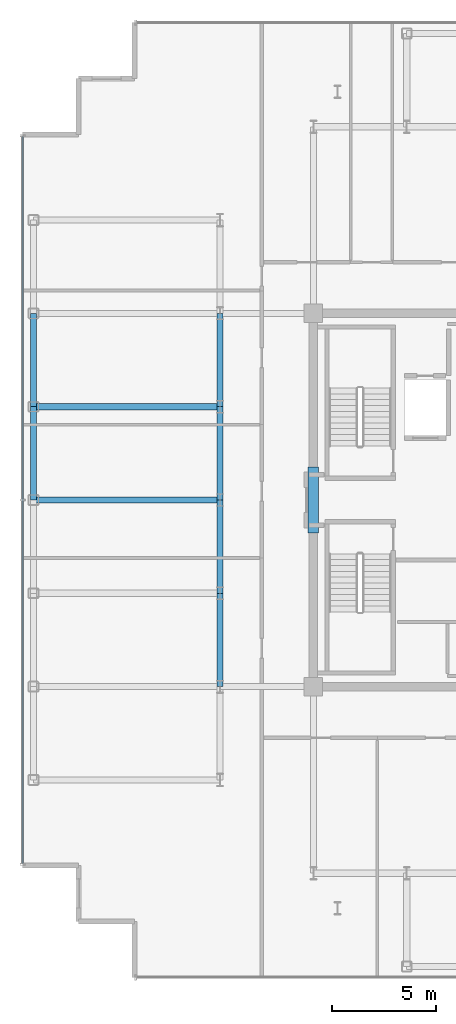
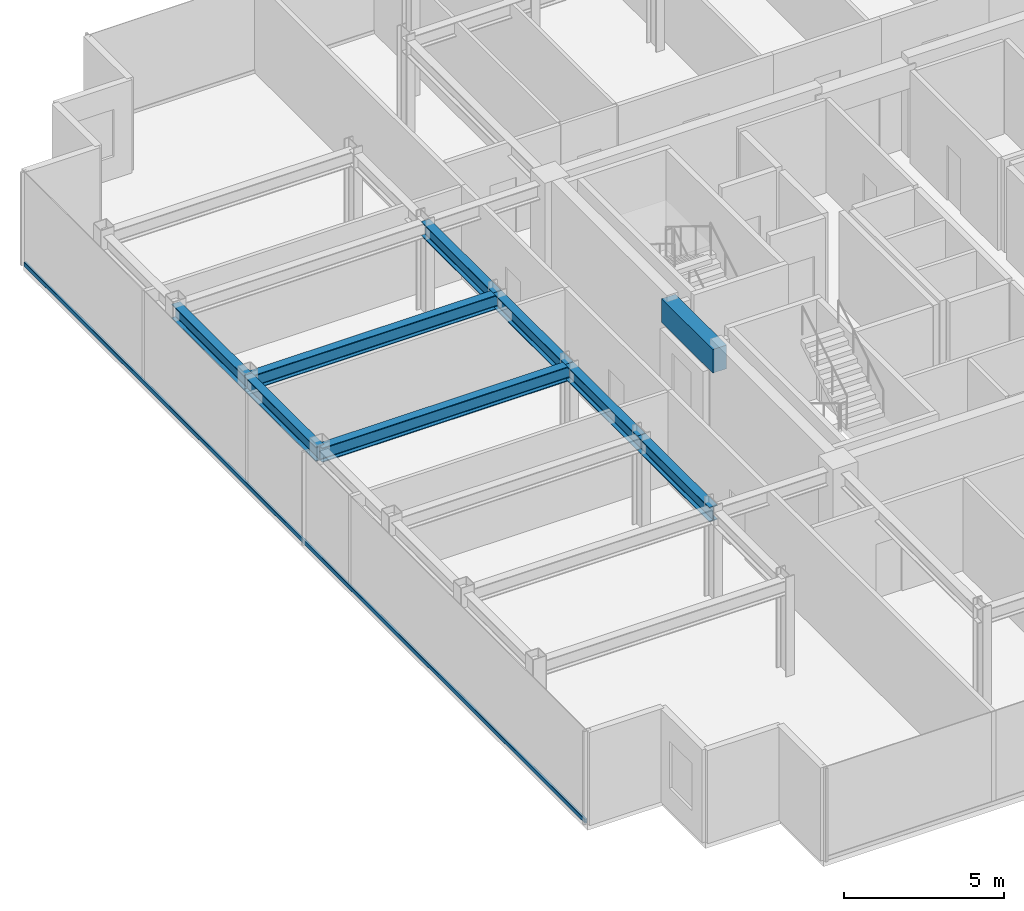
# One storey, part 5 of 17: 9 beams, 1 member, 1 element without a shape of its own.
"""IFC4 building model written with IfcOpenShell, lengths in metres."""

from ifc_helpers import new_model, si_unit, direction, frame, origin, origin_2d, place, context, subcontext, project, spatial, rectangle, hollow_rectangle, i_section, extrude, source, transform, mapped, material, layer, layer_set, material_profile, profile_set, type_object, element, aggregate, save


model = new_model("IFC4")

# Units and contexts
model_context = context("Model", 3, precision=1e-05, world=origin(), true_north=direction((0.0, 1.0)))
body_context = subcontext(model_context, "Body", "Model", "MODEL_VIEW")
ifc_project = project(units=[si_unit("LENGTHUNIT", "METRE"), si_unit("AREAUNIT", "SQUARE_METRE"), si_unit("VOLUMEUNIT", "CUBIC_METRE"), si_unit("PLANEANGLEUNIT", "RADIAN"), si_unit("MASSUNIT", "GRAM", prefix="KILO")], contexts=[model_context])

# Site, building, storey
site_placement = place(None, origin())
site = spatial("IfcSite", under=ifc_project, at=site_placement, CompositionType="ELEMENT")
building_placement = place(site_placement, origin())
building = spatial("IfcBuilding", under=site, at=building_placement, Name="Nefas-Gora Pilgrimage Tower", CompositionType="ELEMENT")
storey_placement = place(building_placement, frame((0.0, 0.0, 337.60009765625)))
storey = spatial("IfcBuildingStorey", under=building, at=storey_placement, Name="L85", CompositionType="ELEMENT", Elevation=337.60009765625)

# Beams
ifc_material_1 = material(Name="Concrete C50/60", Category="concrete")
ifc_material_profile_1 = material_profile(ifc_material_1, rectangle(XDim=0.5, YDim=0.89990234375, at=origin_2d()), Name="RC 500x900")
ifc_profile_set_1 = profile_set([ifc_material_profile_1], Name="Concrete C50/60")
beam_type_1 = type_object("IfcBeamType", Name="BM-LIN-RC900", PredefinedType="LINTEL", material=ifc_profile_set_1)
shared_shape_1 = source(origin(), body_context, "Body", "SweptSolid", [
    extrude(rectangle(XDim=0.5, YDim=0.89990234375, at=origin_2d()), origin(), (0.0, 0.0, 1.0), 3.2001953125),
])
beam_placement = place(storey_placement, frame((-11.25, -1.60009765625, 3.099853515625), z_axis=(0.0, 1.0, 0.0), x_axis=(-1.0, 0.0, 0.0)))
element("IfcBeam", 1, at=beam_placement, inside=storey, type_object=beam_type_1, Name="L85 Core Coupling Lintel Beam W", PredefinedType="LINTEL", context=body_context, shape_type="MappedRepresentation", body=[
    mapped(shared_shape_1, transform((0.0, 0.0, 0.0), x_axis=(1.0, 0.0, 0.0), y_axis=(0.0, 1.0, 0.0), z_axis=(0.0, 0.0, 1.0), scale=1.0)),
])
ifc_material_2 = material(Name="Steel S355", Category="steel")
ifc_material_profile_2 = material_profile(ifc_material_2, i_section(OverallWidth=0.300048828125, OverallDepth=0.550048828125, WebThickness=0.014892578125, FlangeThickness=0.029052734375, FilletRadius=0.027099609375, at=origin_2d()), Name="HEB 550")
ifc_profile_set_2 = profile_set([ifc_material_profile_2], Name="Steel S355")
beam_type_2 = type_object("IfcBeamType", Name="BM-SPN-HEB400", PredefinedType="SPANDREL", material=ifc_profile_set_2)
shared_shape_2 = source(origin(), body_context, "Body", "SweptSolid", [
    extrude(i_section(OverallWidth=0.300048828125, OverallDepth=0.550048828125, WebThickness=0.014892578125, FlangeThickness=0.029052734375, FilletRadius=0.027099609375, at=origin_2d()), origin(), (0.0, 0.0, 1.0), 4.5),
])
for number, where, z_axis, x_axis, name in (
    (2, (-24.75, 0.0, 3.27490234375), (0.0, 1.0, 0.0), (-1.0, 0.0, 0.0), "L85 SP-04 beam"),
    (3, (-24.75, 4.5, 3.27490234375), (0.0, 1.0, 0.0), (-1.0, 0.0, 0.0), "L85 SP-04 beam"),
):
    element("IfcBeam", number, at=place(storey_placement, frame(where, z_axis=z_axis, x_axis=x_axis)), inside=storey, type_object=beam_type_2, Name=name, PredefinedType="SPANDREL", context=body_context, shape_type="MappedRepresentation", body=[
        mapped(shared_shape_2, transform((0.0, 0.0, 0.0), x_axis=(1.0, 0.0, 0.0), y_axis=(0.0, 1.0, 0.0), z_axis=(0.0, 0.0, 1.0), scale=1.0)),
    ])
ifc_material_profile_3 = material_profile(ifc_material_2, i_section(OverallWidth=0.300048828125, OverallDepth=0.550048828125, WebThickness=0.014892578125, FlangeThickness=0.029052734375, FilletRadius=0.027099609375, at=origin_2d()), Name="HEB 550")
ifc_profile_set_3 = profile_set([ifc_material_profile_3], Name="Steel S355")
beam_type_3 = type_object("IfcBeamType", Name="BM-GIR-HEB550", PredefinedType="BEAM", material=ifc_profile_set_3)
shared_shape_3 = source(origin(), body_context, "Body", "SweptSolid", [
    extrude(i_section(OverallWidth=0.300048828125, OverallDepth=0.550048828125, WebThickness=0.014892578125, FlangeThickness=0.029052734375, FilletRadius=0.027099609375, at=origin_2d()), origin(), (0.0, 0.0, 1.0), 9.0),
])
for number, where, z_axis, x_axis, name in (
    (4, (-24.75, 0.0, 3.27490234375), (1.0, 0.0, 0.0), (0.0, 1.0, 0.0), "L85 G-05 beam"),
    (5, (-24.75, 4.5, 3.27490234375), (1.0, 0.0, 0.0), (0.0, 1.0, 0.0), "L85 G-05 beam"),
):
    element("IfcBeam", number, at=place(storey_placement, frame(where, z_axis=z_axis, x_axis=x_axis)), inside=storey, type_object=beam_type_3, Name=name, PredefinedType="BEAM", context=body_context, shape_type="MappedRepresentation", body=[
        mapped(shared_shape_3, transform((0.0, 0.0, 0.0), x_axis=(1.0, 0.0, 0.0), y_axis=(0.0, 1.0, 0.0), z_axis=(0.0, 0.0, 1.0), scale=1.0)),
    ])
shared_shape_4 = source(origin(), body_context, "Body", "SweptSolid", [
    extrude(i_section(OverallWidth=0.300048828125, OverallDepth=0.550048828125, WebThickness=0.014892578125, FlangeThickness=0.029052734375, FilletRadius=0.027099609375, at=origin_2d()), origin(), (0.0, 0.0, 1.0), 4.5),
])
for number, where, z_axis, x_axis, name in (
    (6, (-15.75, -9.0, 3.27490234375), (0.0, 1.0, 0.0), (-1.0, 0.0, 0.0), "L85 G-05 beam"),
    (7, (-15.75, -4.5, 3.27490234375), (0.0, 1.0, 0.0), (-1.0, 0.0, 0.0), "L85 G-05 beam"),
    (8, (-15.75, 0.0, 3.27490234375), (0.0, 1.0, 0.0), (-1.0, 0.0, 0.0), "L85 G-05 beam"),
    (9, (-15.75, 4.5, 3.27490234375), (0.0, 1.0, 0.0), (-1.0, 0.0, 0.0), "L85 G-05 beam"),
):
    element("IfcBeam", number, at=place(storey_placement, frame(where, z_axis=z_axis, x_axis=x_axis)), inside=storey, type_object=beam_type_3, Name=name, PredefinedType="BEAM", context=body_context, shape_type="MappedRepresentation", body=[
        mapped(shared_shape_4, transform((0.0, 0.0, 0.0), x_axis=(1.0, 0.0, 0.0), y_axis=(0.0, 1.0, 0.0), z_axis=(0.0, 0.0, 1.0), scale=1.0)),
    ])

# Curtain wall, member
ifc_material_3 = material(Name="Dark ceramic-fritted solar-control aluminium-glass curtain wall", Category="aluminium")
ifc_layer = layer(ifc_material_3, 0.219970703125)
ifc_layer_set = layer_set([ifc_layer], Name="Dark ceramic-fritted solar-control aluminium-glass curtain wall")
curtain_wall_type = type_object("IfcCurtainWallType", Name="CW-SYS-4", PredefinedType="NOTDEFINED", material=ifc_layer_set)
curtain_wall_placement = place(storey_placement, origin())
curtain_wall = element("IfcCurtainWall", 10, at=curtain_wall_placement, inside=storey, type_object=curtain_wall_type, Name="L85 Unitised Curtain Wall CW4", PredefinedType="NOTDEFINED")
ifc_material_4 = material(Name="Anodised architectural aluminium", Category="aluminium")
ifc_material_profile_4 = material_profile(ifc_material_4, hollow_rectangle(XDim=0.080078125, YDim=0.159912109375, WallThickness=0.00439453125, InnerFilletRadius=0.00439453125, OuterFilletRadius=0.009033203125, at=origin_2d()), Name="ALU TRANSOM 80x160")
ifc_profile_set_4 = profile_set([ifc_material_profile_4], Name="Anodised architectural aluminium")
member_type = type_object("IfcMemberType", Name="CWM-TRN-4", PredefinedType="USERDEFINED", material=ifc_profile_set_4)
shared_shape_5 = source(origin(), body_context, "Body", "SweptSolid", [
    extrude(hollow_rectangle(XDim=0.080078125, YDim=0.159912109375, WallThickness=0.00439453125, InnerFilletRadius=0.00439453125, OuterFilletRadius=0.009033203125, at=origin_2d()), origin(), (0.0, 0.0, 1.0), 35.06005859375),
])
member_placement = place(storey_placement, frame((-25.27001953125, 17.530029296875, 0.0498046875), z_axis=(0.0, -1.0, 0.0), x_axis=(1.0, 0.0, 0.0)))
member = element("IfcMember", 11, at=member_placement, type_object=member_type, Name="CW4 Spandrel Transom", ObjectType="TRANSOM", PredefinedType="USERDEFINED", context=body_context, shape_type="MappedRepresentation", body=[
    mapped(shared_shape_5, transform((0.0, 0.0, 0.0), x_axis=(1.0, 0.0, 0.0), y_axis=(0.0, 1.0, 0.0), z_axis=(0.0, 0.0, 1.0), scale=1.0)),
])
aggregate(curtain_wall, [member])

save(model, "model.ifc")
